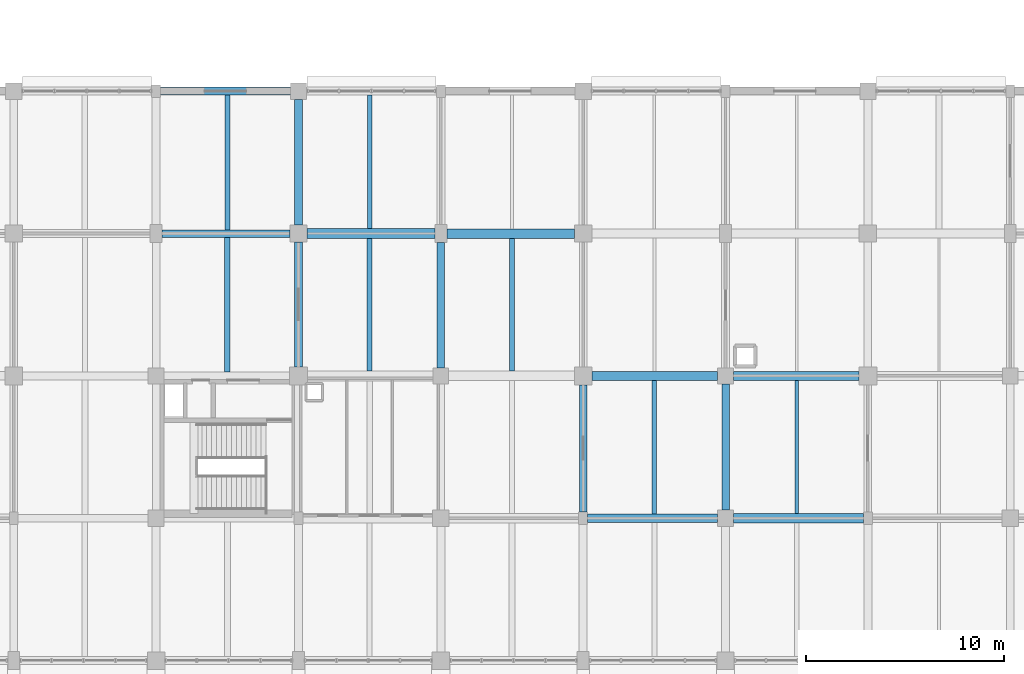
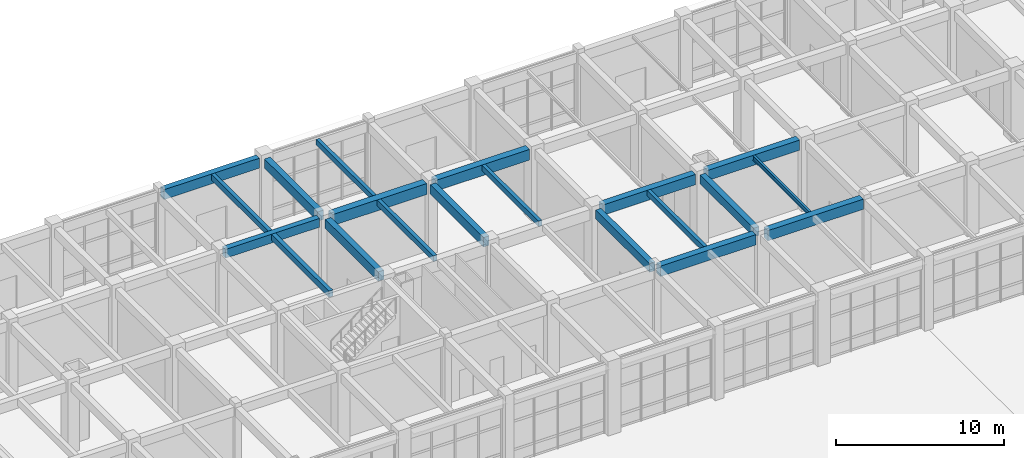
# One storey, part 79 of 160: 20 beams.
"""IFC4 building model written with IfcOpenShell, lengths in metres."""

from ifc_helpers import new_model, si_unit, direction, frame, origin, origin_2d, place, context, subcontext, project, spatial, rectangle, i_section, extrude, material, material_profile, profile_set, type_object, element, save


model = new_model("IFC4")

# Units and contexts
model_context = context("Model", 3, precision=1e-05, world=origin(), true_north=direction((0.0, 1.0)))
body_context = subcontext(model_context, "Body", "Model", "MODEL_VIEW")
ifc_project = project(units=[si_unit("LENGTHUNIT", "METRE"), si_unit("AREAUNIT", "SQUARE_METRE"), si_unit("VOLUMEUNIT", "CUBIC_METRE"), si_unit("PLANEANGLEUNIT", "RADIAN"), si_unit("MASSUNIT", "GRAM", prefix="KILO")], contexts=[model_context])

# Site, building, storey
site_placement = place(None, origin())
site = spatial("IfcSite", under=ifc_project, at=site_placement, CompositionType="ELEMENT")
building_placement = place(site_placement, origin())
building = spatial("IfcBuilding", under=site, at=building_placement, Name="Thalmaran Polytechnic", CompositionType="ELEMENT")
storey_placement = place(building_placement, origin())
storey = spatial("IfcBuildingStorey", under=building, at=storey_placement, Name="L00", CompositionType="ELEMENT", Elevation=0.0)

# Beams
ifc_material_1 = material(Name="Concrete C40/50", Category="concrete")
ifc_material_profile_1 = material_profile(ifc_material_1, rectangle(XDim=0.5, YDim=0.800048828125, at=origin_2d()), Name="RC 500x800")
ifc_profile_set_1 = profile_set([ifc_material_profile_1], Name="Concrete C40/50")
beam_type_1 = type_object("IfcBeamType", Name="BM-RC02", PredefinedType="BEAM", material=ifc_profile_set_1)
beam_1_placement = place(storey_placement, frame((65.239990234375, 115.199951171875, 4.68994140625), z_axis=(1.0, 0.0, 0.0), x_axis=(0.0, 1.0, 0.0)))
element("IfcBeam", 1, at=beam_1_placement, inside=storey, type_object=beam_type_1, Name="Grid Beam B02 L00 X(9,16)", PredefinedType="BEAM", context=body_context, shape_type="SweptSolid", body=[
    extrude(rectangle(XDim=0.5, YDim=0.800048828125, at=origin_2d()), origin(), (0.0, 0.0, 1.0), 6.4599609375),
])
ifc_material_profile_2 = material_profile(ifc_material_1, rectangle(XDim=0.449951171875, YDim=0.75, at=origin_2d()), Name="RC 450x750")
ifc_profile_set_2 = profile_set([ifc_material_profile_2], Name="Concrete C40/50")
beam_type_2 = type_object("IfcBeamType", Name="BM-RC03", PredefinedType="BEAM", material=ifc_profile_set_2)
beam_2_placement = place(storey_placement, frame((79.425048828125, 100.800048828125, 4.715087890625), z_axis=(1.0, 0.0, 0.0), x_axis=(0.0, 1.0, 0.0)))
element("IfcBeam", 2, at=beam_2_placement, inside=storey, type_object=beam_type_2, Name="Grid Beam B03 L00 X(11,14)", PredefinedType="BEAM", context=body_context, shape_type="SweptSolid", body=[
    extrude(rectangle(XDim=0.449951171875, YDim=0.75, at=origin_2d()), origin(), (0.0, 0.0, 1.0), 6.56494140625),
])
beam_3_placement = place(storey_placement, frame((79.64990234375, 108.0, 4.715087890625), z_axis=(1.0, 0.0, 0.0), x_axis=(0.0, 1.0, 0.0)))
element("IfcBeam", 3, at=beam_3_placement, inside=storey, type_object=beam_type_2, Name="Grid Beam B03 L00 X(11,15)", PredefinedType="BEAM", context=body_context, shape_type="SweptSolid", body=[
    extrude(rectangle(XDim=0.449951171875, YDim=0.75, at=origin_2d()), origin(), (0.0, 0.0, 1.0), 6.35009765625),
])
ifc_material_profile_3 = material_profile(ifc_material_1, rectangle(XDim=0.389892578125, YDim=0.68505859375, at=origin_2d()), Name="RC 390x685")
ifc_profile_set_3 = profile_set([ifc_material_profile_3], Name="Concrete C40/50")
beam_type_3 = type_object("IfcBeamType", Name="BM-RC08", PredefinedType="BEAM", material=ifc_profile_set_3)
beam_4_placement = place(storey_placement, frame((64.800048828125, 108.449951171875, 4.74755859375), z_axis=(0.0, 1.0, 0.0), x_axis=(-1.0, 0.0, 0.0)))
element("IfcBeam", 4, at=beam_4_placement, inside=storey, type_object=beam_type_3, Name="Grid Beam B08 L00 Y(9,15)", PredefinedType="BEAM", context=body_context, shape_type="SweptSolid", body=[
    extrude(rectangle(XDim=0.389892578125, YDim=0.68505859375, at=origin_2d()), origin(), (0.0, 0.0, 1.0), 6.31005859375),
])
beam_5_placement = place(storey_placement, frame((72.0, 108.39990234375, 4.74755859375), z_axis=(0.0, 1.0, 0.0), x_axis=(-1.0, 0.0, 0.0)))
element("IfcBeam", 5, at=beam_5_placement, inside=storey, type_object=beam_type_3, Name="Grid Beam B08 L00 Y(10,15)", PredefinedType="BEAM", context=body_context, shape_type="SweptSolid", body=[
    extrude(rectangle(XDim=0.389892578125, YDim=0.68505859375, at=origin_2d()), origin(), (0.0, 0.0, 1.0), 6.35009765625),
])
ifc_material_profile_4 = material_profile(ifc_material_1, rectangle(XDim=0.280029296875, YDim=0.449951171875, at=origin_2d()), Name="RC 280x450")
ifc_profile_set_4 = profile_set([ifc_material_profile_4], Name="Concrete C40/50")
beam_type_4 = type_object("IfcBeamType", Name="BM-RC13", PredefinedType="JOIST", material=ifc_profile_set_4)
beam_6_placement = place(storey_placement, frame((61.199951171875, 108.18994140625, 4.864990234375), z_axis=(0.0, 1.0, 0.0), x_axis=(-1.0, 0.0, 0.0)))
element("IfcBeam", 6, at=beam_6_placement, inside=storey, type_object=beam_type_4, Name="Secondary Floor Rib RB03 L00 (8,15)", PredefinedType="JOIST", context=body_context, shape_type="SweptSolid", body=[
    extrude(rectangle(XDim=0.280029296875, YDim=0.449951171875, at=origin_2d()), origin(), (0.0, 0.0, 1.0), 6.820068359375),
])
ifc_material_2 = material(Name="Steel S355", Category="steel")
ifc_material_profile_5 = material_profile(ifc_material_2, i_section(OverallWidth=0.159912109375, OverallDepth=0.330078125, WebThickness=0.007568359375, FlangeThickness=0.011474609375, at=origin_2d()), Name="IPE 330")
ifc_profile_set_5 = profile_set([ifc_material_profile_5], Name="Steel S355")
beam_type_5 = type_object("IfcBeamType", Name="BM-SJ02", PredefinedType="JOIST", material=ifc_profile_set_5)
beam_7_placement = place(storey_placement, frame((90.0, 101.030029296875, 4.925048828125), z_axis=(0.0, 1.0, 0.0), x_axis=(-1.0, 0.0, 0.0)))
element("IfcBeam", 7, at=beam_7_placement, inside=storey, type_object=beam_type_5, Name="Secondary Floor Rib SJ02 L00 (12,14)", PredefinedType="JOIST", context=body_context, shape_type="SweptSolid", body=[
    extrude(i_section(OverallWidth=0.159912109375, OverallDepth=0.330078125, WebThickness=0.007568359375, FlangeThickness=0.011474609375, at=origin_2d()), origin(), (0.0, 0.0, 1.0), 6.739990234375),
])
ifc_material_profile_6 = material_profile(ifc_material_1, rectangle(XDim=0.39990234375, YDim=0.719970703125, at=origin_2d()), Name="RC 400x720")
ifc_profile_set_6 = profile_set([ifc_material_profile_6], Name="Concrete C40/50")
beam_type_6 = type_object("IfcBeamType", Name="BM-SP01", PredefinedType="SPANDREL", material=ifc_profile_set_6)
beam_8_placement = place(storey_placement, frame((57.824951171875, 122.39990234375, 4.72998046875), z_axis=(1.0, 0.0, 0.0), x_axis=(0.0, 1.0, 0.0)))
element("IfcBeam", 8, at=beam_8_placement, inside=storey, type_object=beam_type_6, Name="Grid Beam SP01 L00 X(8,17)", PredefinedType="SPANDREL", context=body_context, shape_type="SweptSolid", body=[
    extrude(rectangle(XDim=0.39990234375, YDim=0.719970703125, at=origin_2d()), origin(), (0.0, 0.0, 1.0), 6.56494140625),
])
ifc_material_profile_7 = material_profile(ifc_material_1, rectangle(XDim=0.47998046875, YDim=0.780029296875, at=origin_2d()), Name="RC 480x780")
ifc_profile_set_7 = profile_set([ifc_material_profile_7], Name="Concrete C40/50")
beam_type_7 = type_object("IfcBeamType", Name="BM-ZB01", PredefinedType="BEAM", material=ifc_profile_set_7)
beam_9_placement = place(storey_placement, frame((72.300048828125, 115.199951171875, 4.699951171875), z_axis=(1.0, 0.0, 0.0), x_axis=(0.0, 1.0, 0.0)))
element("IfcBeam", 9, at=beam_9_placement, inside=storey, type_object=beam_type_7, Name="Grid Beam ZB01 L00 X(10,16)", PredefinedType="BEAM", context=body_context, shape_type="SweptSolid", body=[
    extrude(rectangle(XDim=0.47998046875, YDim=0.780029296875, at=origin_2d()), origin(), (0.0, 0.0, 1.0), 6.4599609375),
])
ifc_material_profile_8 = material_profile(ifc_material_1, rectangle(XDim=0.4599609375, YDim=0.739990234375, at=origin_2d()), Name="RC 460x740")
ifc_profile_set_8 = profile_set([ifc_material_profile_8], Name="Concrete C40/50")
beam_type_8 = type_object("IfcBeamType", Name="BM-ZB02", PredefinedType="BEAM", material=ifc_profile_set_8)
beam_10_placement = place(storey_placement, frame((86.81005859375, 100.800048828125, 4.719970703125), z_axis=(1.0, 0.0, 0.0), x_axis=(0.0, 1.0, 0.0)))
element("IfcBeam", 10, at=beam_10_placement, inside=storey, type_object=beam_type_8, Name="Grid Beam ZB02 L00 X(12,14)", PredefinedType="BEAM", context=body_context, shape_type="SweptSolid", body=[
    extrude(rectangle(XDim=0.4599609375, YDim=0.739990234375, at=origin_2d()), origin(), (0.0, 0.0, 1.0), 6.56494140625),
])
beam_11_placement = place(storey_placement, frame((86.800048828125, 108.0, 4.719970703125), z_axis=(1.0, 0.0, 0.0), x_axis=(0.0, 1.0, 0.0)))
element("IfcBeam", 11, at=beam_11_placement, inside=storey, type_object=beam_type_8, Name="Grid Beam ZB02 L00 X(12,15)", PredefinedType="BEAM", context=body_context, shape_type="SweptSolid", body=[
    extrude(rectangle(XDim=0.4599609375, YDim=0.739990234375, at=origin_2d()), origin(), (0.0, 0.0, 1.0), 6.349853515625),
])
ifc_material_profile_9 = material_profile(ifc_material_1, rectangle(XDim=0.3798828125, YDim=0.639892578125, at=origin_2d()), Name="RC 380x640")
ifc_profile_set_9 = profile_set([ifc_material_profile_9], Name="Concrete C40/50")
beam_type_9 = type_object("IfcBeamType", Name="BM-ZB05", PredefinedType="BEAM", material=ifc_profile_set_9)
beam_12_placement = place(storey_placement, frame((57.89990234375, 115.199951171875, 4.77001953125), z_axis=(1.0, 0.0, 0.0), x_axis=(0.0, 1.0, 0.0)))
element("IfcBeam", 12, at=beam_12_placement, inside=storey, type_object=beam_type_9, Name="Grid Beam ZB05 L00 X(8,16)", PredefinedType="BEAM", context=body_context, shape_type="SweptSolid", body=[
    extrude(rectangle(XDim=0.3798828125, YDim=0.639892578125, at=origin_2d()), origin(), (0.0, 0.0, 1.0), 6.460205078125),
])
ifc_material_profile_10 = material_profile(ifc_material_1, rectangle(XDim=0.3798828125, YDim=0.635009765625, at=origin_2d()), Name="RC 380x635")
ifc_profile_set_10 = profile_set([ifc_material_profile_10], Name="Concrete C40/50")
beam_type_10 = type_object("IfcBeamType", Name="BM-ZB06", PredefinedType="BEAM", material=ifc_profile_set_10)
beam_13_placement = place(storey_placement, frame((79.199951171875, 101.125, 4.7724609375), z_axis=(0.0, 1.0, 0.0), x_axis=(-1.0, 0.0, 0.0)))
element("IfcBeam", 13, at=beam_13_placement, inside=storey, type_object=beam_type_10, Name="Grid Beam ZB06 L00 Y(11,14)", PredefinedType="BEAM", context=body_context, shape_type="SweptSolid", body=[
    extrude(rectangle(XDim=0.3798828125, YDim=0.635009765625, at=origin_2d()), origin(), (0.0, 0.0, 1.0), 6.425048828125),
])
beam_14_placement = place(storey_placement, frame((86.39990234375, 101.2099609375, 4.7724609375), z_axis=(0.0, 1.0, 0.0), x_axis=(-1.0, 0.0, 0.0)))
element("IfcBeam", 14, at=beam_14_placement, inside=storey, type_object=beam_type_10, Name="Grid Beam ZB06 L00 Y(12,14)", PredefinedType="BEAM", context=body_context, shape_type="SweptSolid", body=[
    extrude(rectangle(XDim=0.3798828125, YDim=0.635009765625, at=origin_2d()), origin(), (0.0, 0.0, 1.0), 6.39013671875),
])
ifc_material_profile_11 = material_profile(ifc_material_1, rectangle(XDim=0.39990234375, YDim=0.68505859375, at=origin_2d()), Name="RC 400x685")
ifc_profile_set_11 = profile_set([ifc_material_profile_11], Name="Concrete C40/50")
beam_type_11 = type_object("IfcBeamType", Name="BM-ZB07", PredefinedType="BEAM", material=ifc_profile_set_11)
beam_15_placement = place(storey_placement, frame((64.800048828125, 115.639892578125, 4.74755859375), z_axis=(0.0, 1.0, 0.0), x_axis=(-1.0, 0.0, 0.0)))
element("IfcBeam", 15, at=beam_15_placement, inside=storey, type_object=beam_type_11, Name="Grid Beam ZB07 L00 Y(9,16)", PredefinedType="BEAM", context=body_context, shape_type="SweptSolid", body=[
    extrude(rectangle(XDim=0.39990234375, YDim=0.68505859375, at=origin_2d()), origin(), (0.0, 0.0, 1.0), 6.35009765625),
])
ifc_material_profile_12 = material_profile(ifc_material_1, rectangle(XDim=0.25, YDim=0.419921875, at=origin_2d()), Name="RC 250x420")
ifc_profile_set_12 = profile_set([ifc_material_profile_12], Name="Concrete C40/50")
beam_type_12 = type_object("IfcBeamType", Name="BM-ZJ03", PredefinedType="JOIST", material=ifc_profile_set_12)
beam_16_placement = place(storey_placement, frame((61.199951171875, 115.389892578125, 4.8798828125), z_axis=(0.0, 1.0, 0.0), x_axis=(-1.0, 0.0, 0.0)))
element("IfcBeam", 16, at=beam_16_placement, inside=storey, type_object=beam_type_12, Name="Secondary Floor Rib ZJ03 L00 (8,16)", PredefinedType="JOIST", context=body_context, shape_type="SweptSolid", body=[
    extrude(rectangle(XDim=0.25, YDim=0.419921875, at=origin_2d()), origin(), (0.0, 0.0, 1.0), 6.81005859375),
])
beam_17_placement = place(storey_placement, frame((68.39990234375, 108.25, 4.8798828125), z_axis=(0.0, 1.0, 0.0), x_axis=(-1.0, 0.0, 0.0)))
element("IfcBeam", 17, at=beam_17_placement, inside=storey, type_object=beam_type_12, Name="Secondary Floor Rib ZJ03 L00 (9,15)", PredefinedType="JOIST", context=body_context, shape_type="SweptSolid", body=[
    extrude(rectangle(XDim=0.25, YDim=0.419921875, at=origin_2d()), origin(), (0.0, 0.0, 1.0), 6.699951171875),
])
ifc_material_profile_13 = material_profile(ifc_material_1, rectangle(XDim=0.239990234375, YDim=0.39990234375, at=origin_2d()), Name="RC 240x400")
ifc_profile_set_13 = profile_set([ifc_material_profile_13], Name="Concrete C40/50")
beam_type_13 = type_object("IfcBeamType", Name="BM-ZJ04", PredefinedType="JOIST", material=ifc_profile_set_13)
beam_18_placement = place(storey_placement, frame((68.39990234375, 115.449951171875, 4.889892578125), z_axis=(0.0, 1.0, 0.0), x_axis=(-1.0, 0.0, 0.0)))
element("IfcBeam", 18, at=beam_18_placement, inside=storey, type_object=beam_type_13, Name="Secondary Floor Rib ZJ04 L00 (9,16)", PredefinedType="JOIST", context=body_context, shape_type="SweptSolid", body=[
    extrude(rectangle(XDim=0.239990234375, YDim=0.39990234375, at=origin_2d()), origin(), (0.0, 0.0, 1.0), 6.75),
])
beam_19_placement = place(storey_placement, frame((75.60009765625, 108.239990234375, 4.889892578125), z_axis=(0.0, 1.0, 0.0), x_axis=(-1.0, 0.0, 0.0)))
element("IfcBeam", 19, at=beam_19_placement, inside=storey, type_object=beam_type_13, Name="Secondary Floor Rib ZJ04 L00 (10,15)", PredefinedType="JOIST", context=body_context, shape_type="SweptSolid", body=[
    extrude(rectangle(XDim=0.239990234375, YDim=0.39990234375, at=origin_2d()), origin(), (0.0, 0.0, 1.0), 6.719970703125),
])
beam_20_placement = place(storey_placement, frame((82.800048828125, 101.02490234375, 4.889892578125), z_axis=(0.0, 1.0, 0.0), x_axis=(-1.0, 0.0, 0.0)))
element("IfcBeam", 20, at=beam_20_placement, inside=storey, type_object=beam_type_13, Name="Secondary Floor Rib ZJ04 L00 (11,14)", PredefinedType="JOIST", context=body_context, shape_type="SweptSolid", body=[
    extrude(rectangle(XDim=0.239990234375, YDim=0.39990234375, at=origin_2d()), origin(), (0.0, 0.0, 1.0), 6.75),
])

save(model, "model.ifc")
